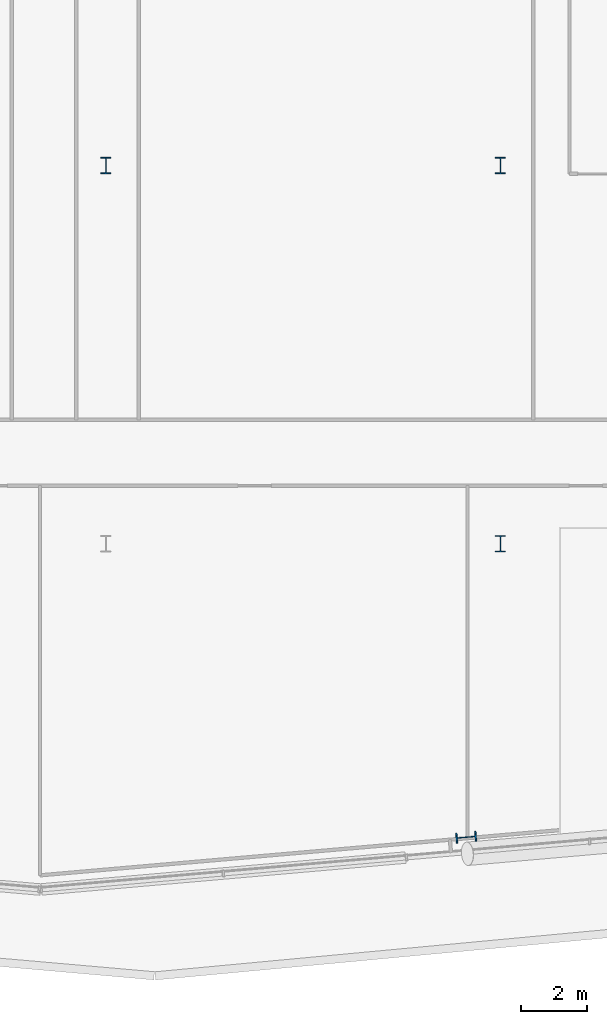
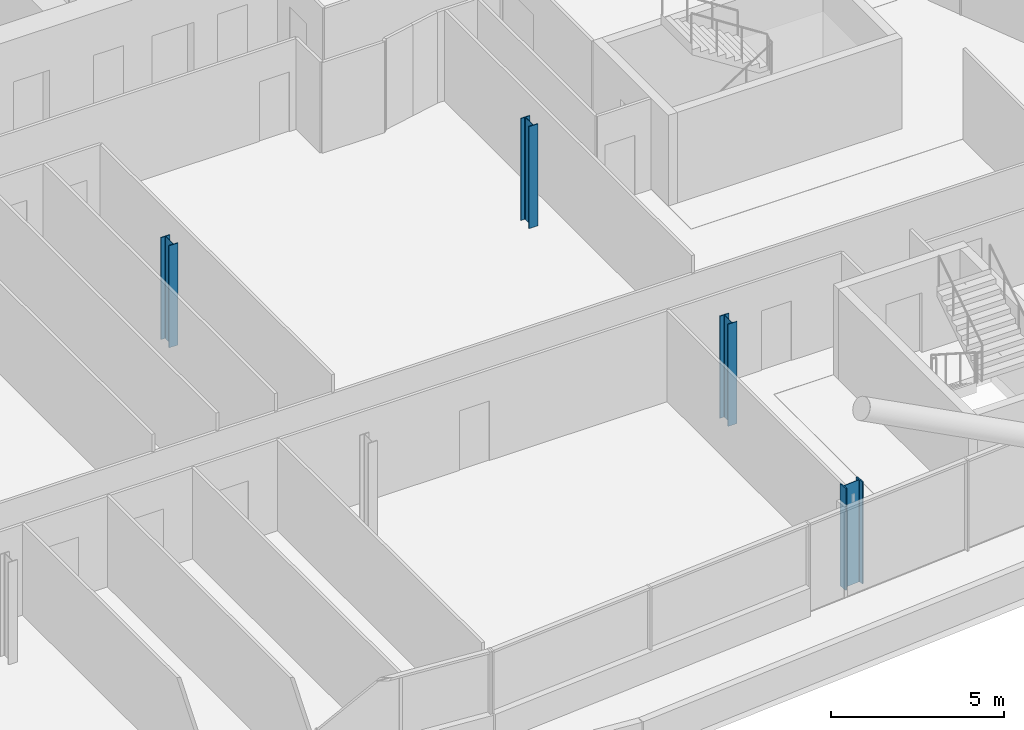
# One storey, part 2 of 30: 4 columns.
"""IFC4 building model written with IfcOpenShell, lengths in metres."""

from ifc_helpers import new_model, si_unit, direction, frame, origin, origin_2d, place, context, subcontext, project, spatial, i_section, extrude, material, material_profile, profile_set, type_object, element, save


model = new_model("IFC4")

# Units and contexts
model_context = context("Model", 3, precision=1e-05, world=origin(), true_north=direction((0.0, 1.0)))
body_context = subcontext(model_context, "Body", "Model", "MODEL_VIEW")
ifc_project = project(units=[si_unit("LENGTHUNIT", "METRE"), si_unit("AREAUNIT", "SQUARE_METRE"), si_unit("VOLUMEUNIT", "CUBIC_METRE"), si_unit("PLANEANGLEUNIT", "RADIAN"), si_unit("MASSUNIT", "GRAM", prefix="KILO")], contexts=[model_context])

# Site, building, storey
site_placement = place(None, origin())
site = spatial("IfcSite", under=ifc_project, at=site_placement, CompositionType="ELEMENT")
building_placement = place(site_placement, origin())
building = spatial("IfcBuilding", under=site, at=building_placement, Name="Wharfspan Tower", CompositionType="ELEMENT")
storey_placement = place(building_placement, frame((0.0, 0.0, 151.899902)))
storey = spatial("IfcBuildingStorey", under=building, at=storey_placement, Name="L36", CompositionType="ELEMENT", Elevation=151.899902)

# Columns
ifc_material = material(Name="Steel S355J2", Category="steel")
ifc_material_profile_1 = material_profile(ifc_material, i_section(OverallWidth=0.300049, OverallDepth=0.5, WebThickness=0.014404, FlangeThickness=0.028076, FilletRadius=0.0271, at=origin_2d()))
ifc_profile_set_1 = profile_set([ifc_material_profile_1], Name="Steel S355J2")
column_type_1 = type_object("IfcColumnType", Name="Column HEB 500", PredefinedType="COLUMN", material=ifc_profile_set_1)
for number, where, z_axis, x_axis, name in (
    (1, (60.0, 11.5, 0.0), (0.0, 0.0, 1.0), (1.0, 0.0, 0.0), "Interior column I.1.4 L36"),
    (2, (48.0, 23.0, 0.0), (0.0, 0.0, 1.0), (1.0, 0.0, 0.0), "Interior column I.2.3 L36"),
    (3, (60.0, 23.0, 0.0), (0.0, 0.0, 1.0), (1.0, 0.0, 0.0), "Interior column I.2.4 L36"),
):
    element("IfcColumn", number, at=place(storey_placement, frame(where, z_axis=z_axis, x_axis=x_axis)), inside=storey, type_object=column_type_1, Name=name, PredefinedType="COLUMN", context=body_context, shape_type="SweptSolid", body=[
        extrude(i_section(OverallWidth=0.300049, OverallDepth=0.5, WebThickness=0.014404, FlangeThickness=0.028076, FilletRadius=0.0271, at=origin_2d()), origin(), (0.0, 0.0, 1.0), 3.600098),
    ])
ifc_material_profile_2 = material_profile(ifc_material, i_section(OverallWidth=0.304932, OverallDepth=0.620117, WebThickness=0.020996, FlangeThickness=0.040039, FilletRadius=0.0271, at=origin_2d()))
ifc_profile_set_2 = profile_set([ifc_material_profile_2], Name="Steel S355J2")
column_type_2 = type_object("IfcColumnType", Name="Column HEM 600", PredefinedType="COLUMN", material=ifc_profile_set_2)
column_placement = place(storey_placement, frame((58.960693, 2.573486, 0.0), z_axis=(0.0, 0.0, 1.0), x_axis=(0.087156, -0.996198, 0.0)))
element("IfcColumn", 4, at=column_placement, inside=storey, type_object=column_type_2, Name="Perimeter column PS2.1 L36", PredefinedType="COLUMN", context=body_context, shape_type="SweptSolid", body=[
    extrude(i_section(OverallWidth=0.304932, OverallDepth=0.620117, WebThickness=0.020996, FlangeThickness=0.040039, FilletRadius=0.0271, at=origin_2d()), origin(), (0.0, 0.0, 1.0), 3.600098),
])

save(model, "model.ifc")
